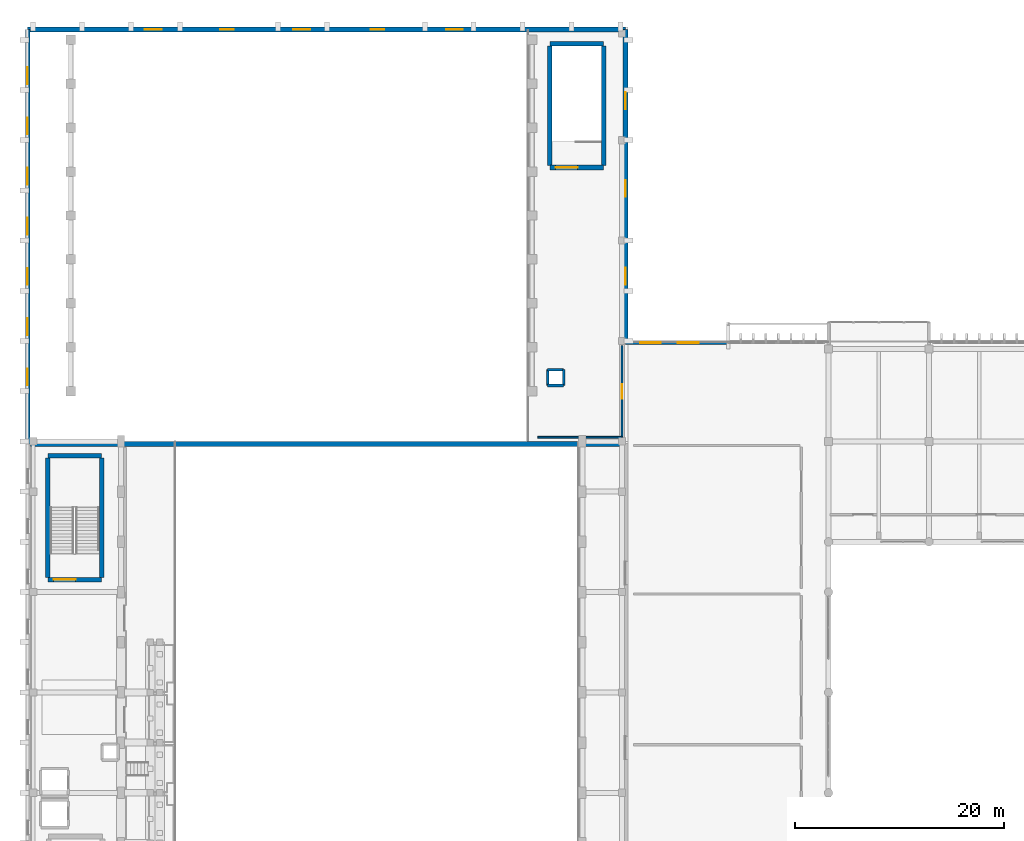
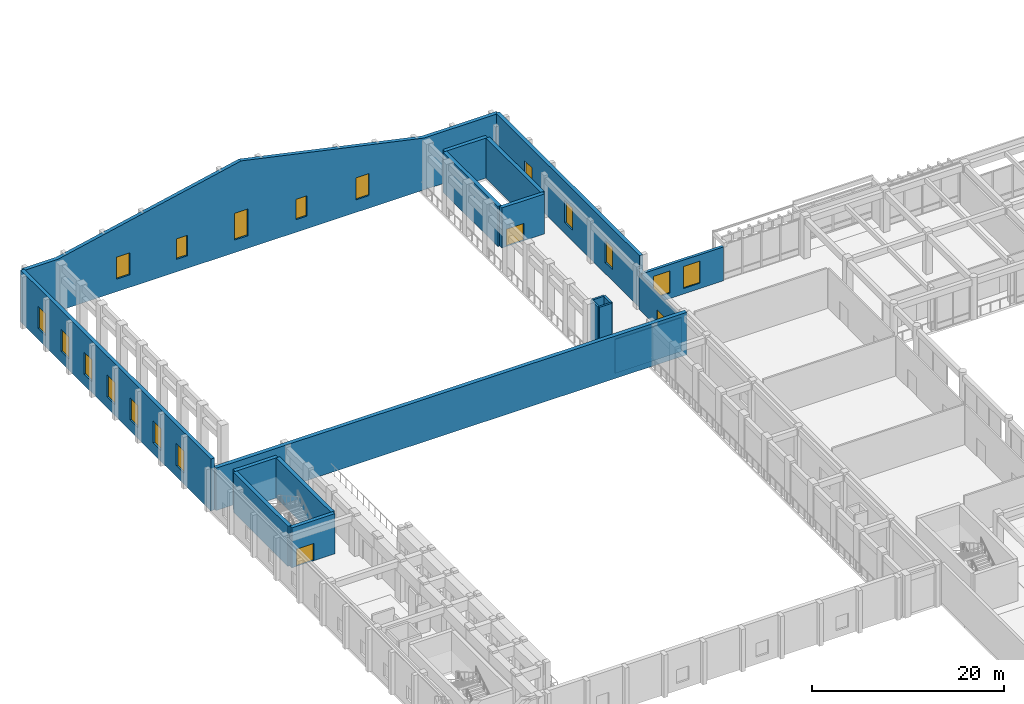
# One storey, part 104 of 134: 19 walls, 17 windows, 3 doors, 20 openings.
"""IFC4 building model written with IfcOpenShell, lengths in metres."""

from ifc_helpers import new_model, si_unit, direction, frame, frame_2d, origin, place, context, subcontext, project, spatial, polyline, rectangle, outline, extrude, material, layer, layer_set, type_object, element, fill, save


model = new_model("IFC4")

# Units and contexts
model_context = context("Model", 3, precision=1e-05, world=origin(), true_north=direction((0.0, 1.0)))
body_context = subcontext(model_context, "Body", "Model", "MODEL_VIEW")
ifc_project = project(units=[si_unit("LENGTHUNIT", "METRE"), si_unit("AREAUNIT", "SQUARE_METRE"), si_unit("VOLUMEUNIT", "CUBIC_METRE"), si_unit("PLANEANGLEUNIT", "RADIAN"), si_unit("MASSUNIT", "GRAM", prefix="KILO")], contexts=[model_context])

# Site, building, storey
site_placement = place(None, origin())
site = spatial("IfcSite", under=ifc_project, at=site_placement, CompositionType="ELEMENT")
building_placement = place(site_placement, origin())
building = spatial("IfcBuilding", under=site, at=building_placement, Name="Nakhvara Creek Congress Hotel", CompositionType="ELEMENT")
storey_placement = place(building_placement, frame((0.0, 0.0, 6.0)))
storey = spatial("IfcBuildingStorey", under=building, at=storey_placement, Name="L01", CompositionType="ELEMENT", Elevation=6.0)

# Wall, openings, windows
ifc_material_1 = material(Name="Honed pale Omani limestone cladding", Category="masonry")
ifc_layer_1 = layer(ifc_material_1, 0.050048828125)
ifc_material_2 = material(Name="Mineral wool thermal insulation")
ifc_layer_2 = layer(ifc_material_2, 0.110107421875)
ifc_material_3 = material(Name="Precast concrete C40/50", Category="concrete")
ifc_layer_3 = layer(ifc_material_3, 0.280029296875)
ifc_layer_set_1 = layer_set([ifc_layer_1, ifc_layer_2, ifc_layer_3], Name="Precast concrete C40/50")
wall_type_1 = type_object("IfcWallType", Name="W-BALL-440", PredefinedType="SOLIDWALL", material=ifc_layer_set_1)
wall_1_placement = place(storey_placement, frame((0.219970703125, 86.159912109375, 0.0), z_axis=(0.0, 0.0, 1.0), x_axis=(0.0, 1.0, 0.0)))
wall_1 = element("IfcWall", 1, at=wall_1_placement, inside=storey, type_object=wall_type_1, Name="Exterior Wall WE02-EW-L01-0041", PredefinedType="SOLIDWALL", context=body_context, shape_type="SweptSolid", body=[
    extrude(rectangle(XDim=39.6201171875, YDim=0.43994140625, at=frame_2d((19.81005859375, 0.0))), origin(), (0.0, 0.0, 1.0), 6.60009765625),
])
opening_1_placement = place(wall_1_placement, frame((5.60009765625, 0.0, 1.39990234375)))
opening_1 = element("IfcOpeningElement", 2, at=opening_1_placement, cuts=wall_1, Name="Opening WN0046", PredefinedType="OPENING", context=body_context, shape_type="SweptSolid", body=[
    extrude(rectangle(XDim=1.60009765625, YDim=2.800048828125, at=frame_2d((0.800048828125, 1.39990234375))), frame((0.0, 0.23193359375, 0.0), z_axis=(0.0, -1.0, 0.0), x_axis=(1.0, 0.0, 0.0)), (0.0, 0.0, 1.0), 0.4638671875),
])
opening_2_placement = place(wall_1_placement, frame((10.39990234375, 0.0, 1.39990234375)))
opening_2 = element("IfcOpeningElement", 3, at=opening_2_placement, cuts=wall_1, Name="Opening WN0047", PredefinedType="OPENING", context=body_context, shape_type="SweptSolid", body=[
    extrude(rectangle(XDim=1.60009765625, YDim=2.800048828125, at=frame_2d((0.800048828125, 1.39990234375))), frame((0.0, 0.23193359375, 0.0), z_axis=(0.0, -1.0, 0.0), x_axis=(1.0, 0.0, 0.0)), (0.0, 0.0, 1.0), 0.4638671875),
])
opening_3_placement = place(wall_1_placement, frame((15.199951171875, 0.0, 1.39990234375)))
opening_3 = element("IfcOpeningElement", 4, at=opening_3_placement, cuts=wall_1, Name="Opening WN0048", PredefinedType="OPENING", context=body_context, shape_type="SweptSolid", body=[
    extrude(rectangle(XDim=1.60009765625, YDim=2.800048828125, at=frame_2d((0.800048828125, 1.39990234375))), frame((0.0, 0.23193359375, 0.0), z_axis=(0.0, -1.0, 0.0), x_axis=(1.0, 0.0, 0.0)), (0.0, 0.0, 1.0), 0.4638671875),
])
opening_4_placement = place(wall_1_placement, frame((20.0, 0.0, 1.39990234375)))
opening_4 = element("IfcOpeningElement", 5, at=opening_4_placement, cuts=wall_1, Name="Opening WN0049", PredefinedType="OPENING", context=body_context, shape_type="SweptSolid", body=[
    extrude(rectangle(XDim=1.60009765625, YDim=2.800048828125, at=frame_2d((0.800048828125, 1.39990234375))), frame((0.0, 0.23193359375, 0.0), z_axis=(0.0, -1.0, 0.0), x_axis=(1.0, 0.0, 0.0)), (0.0, 0.0, 1.0), 0.4638671875),
])
opening_5_placement = place(wall_1_placement, frame((24.800048828125, 0.0, 1.39990234375)))
opening_5 = element("IfcOpeningElement", 6, at=opening_5_placement, cuts=wall_1, Name="Opening WN0050", PredefinedType="OPENING", context=body_context, shape_type="SweptSolid", body=[
    extrude(rectangle(XDim=1.60009765625, YDim=2.800048828125, at=frame_2d((0.800048828125, 1.39990234375))), frame((0.0, 0.23193359375, 0.0), z_axis=(0.0, -1.0, 0.0), x_axis=(1.0, 0.0, 0.0)), (0.0, 0.0, 1.0), 0.4638671875),
])
opening_6_placement = place(wall_1_placement, frame((29.60009765625, 0.0, 1.39990234375)))
opening_6 = element("IfcOpeningElement", 7, at=opening_6_placement, cuts=wall_1, Name="Opening WN0051", PredefinedType="OPENING", context=body_context, shape_type="SweptSolid", body=[
    extrude(rectangle(XDim=1.60009765625, YDim=2.800048828125, at=frame_2d((0.800048828125, 1.39990234375))), frame((0.0, 0.23193359375, 0.0), z_axis=(0.0, -1.0, 0.0), x_axis=(1.0, 0.0, 0.0)), (0.0, 0.0, 1.0), 0.4638671875),
])
opening_7_placement = place(wall_1_placement, frame((34.39990234375, 0.0, 1.39990234375)))
opening_7 = element("IfcOpeningElement", 8, at=opening_7_placement, cuts=wall_1, Name="Opening WN0052", PredefinedType="OPENING", context=body_context, shape_type="SweptSolid", body=[
    extrude(rectangle(XDim=1.60009765625, YDim=2.800048828125, at=frame_2d((0.800048828125, 1.39990234375))), frame((0.0, 0.23193359375, 0.0), z_axis=(0.0, -1.0, 0.0), x_axis=(1.0, 0.0, 0.0)), (0.0, 0.0, 1.0), 0.4638671875),
])
ifc_material_4 = material(Name="Thermally broken bronze-anodised aluminium and double-silver low-E insulated glass", Category="aluminium")
window_type_1 = type_object("IfcWindowType", Name="WN-POD-160X280", PartitioningType="SINGLE_PANEL", PredefinedType="WINDOW", material=ifc_material_4)
window_1_placement = place(opening_1_placement, origin())
window_1 = element("IfcWindow", 9, at=window_1_placement, inside=storey, type_object=window_type_1, Name="Facade Window WN0046", OverallHeight=2.800048828125, OverallWidth=1.60009765625, PartitioningType="SINGLE_PANEL", PredefinedType="WINDOW", context=body_context, shape_type="SweptSolid", body=[
    extrude(rectangle(XDim=1.60009765625, YDim=2.800048828125, at=frame_2d((0.800048828125, 1.39990234375))), frame((0.0, 0.030029296875, 0.0), z_axis=(0.0, -1.0, 0.0), x_axis=(1.0, 0.0, 0.0)), (0.0, 0.0, 1.0), 0.06005859375),
])
fill(opening_1, window_1)
window_2_placement = place(opening_2_placement, origin())
window_2 = element("IfcWindow", 10, at=window_2_placement, inside=storey, type_object=window_type_1, Name="Facade Window WN0047", OverallHeight=2.800048828125, OverallWidth=1.60009765625, PartitioningType="SINGLE_PANEL", PredefinedType="WINDOW", context=body_context, shape_type="SweptSolid", body=[
    extrude(rectangle(XDim=1.60009765625, YDim=2.800048828125, at=frame_2d((0.800048828125, 1.39990234375))), frame((0.0, 0.030029296875, 0.0), z_axis=(0.0, -1.0, 0.0), x_axis=(1.0, 0.0, 0.0)), (0.0, 0.0, 1.0), 0.06005859375),
])
fill(opening_2, window_2)
window_3_placement = place(opening_3_placement, origin())
window_3 = element("IfcWindow", 11, at=window_3_placement, inside=storey, type_object=window_type_1, Name="Facade Window WN0048", OverallHeight=2.800048828125, OverallWidth=1.60009765625, PartitioningType="SINGLE_PANEL", PredefinedType="WINDOW", context=body_context, shape_type="SweptSolid", body=[
    extrude(rectangle(XDim=1.60009765625, YDim=2.800048828125, at=frame_2d((0.800048828125, 1.39990234375))), frame((0.0, 0.030029296875, 0.0), z_axis=(0.0, -1.0, 0.0), x_axis=(1.0, 0.0, 0.0)), (0.0, 0.0, 1.0), 0.06005859375),
])
fill(opening_3, window_3)
window_4_placement = place(opening_4_placement, origin())
window_4 = element("IfcWindow", 12, at=window_4_placement, inside=storey, type_object=window_type_1, Name="Facade Window WN0049", OverallHeight=2.800048828125, OverallWidth=1.60009765625, PartitioningType="SINGLE_PANEL", PredefinedType="WINDOW", context=body_context, shape_type="SweptSolid", body=[
    extrude(rectangle(XDim=1.60009765625, YDim=2.800048828125, at=frame_2d((0.800048828125, 1.39990234375))), frame((0.0, 0.030029296875, 0.0), z_axis=(0.0, -1.0, 0.0), x_axis=(1.0, 0.0, 0.0)), (0.0, 0.0, 1.0), 0.06005859375),
])
fill(opening_4, window_4)
window_5_placement = place(opening_5_placement, origin())
window_5 = element("IfcWindow", 13, at=window_5_placement, inside=storey, type_object=window_type_1, Name="Facade Window WN0050", OverallHeight=2.800048828125, OverallWidth=1.60009765625, PartitioningType="SINGLE_PANEL", PredefinedType="WINDOW", context=body_context, shape_type="SweptSolid", body=[
    extrude(rectangle(XDim=1.60009765625, YDim=2.800048828125, at=frame_2d((0.800048828125, 1.39990234375))), frame((0.0, 0.030029296875, 0.0), z_axis=(0.0, -1.0, 0.0), x_axis=(1.0, 0.0, 0.0)), (0.0, 0.0, 1.0), 0.06005859375),
])
fill(opening_5, window_5)
window_6_placement = place(opening_6_placement, origin())
window_6 = element("IfcWindow", 14, at=window_6_placement, inside=storey, type_object=window_type_1, Name="Facade Window WN0051", OverallHeight=2.800048828125, OverallWidth=1.60009765625, PartitioningType="SINGLE_PANEL", PredefinedType="WINDOW", context=body_context, shape_type="SweptSolid", body=[
    extrude(rectangle(XDim=1.60009765625, YDim=2.800048828125, at=frame_2d((0.800048828125, 1.39990234375))), frame((0.0, 0.030029296875, 0.0), z_axis=(0.0, -1.0, 0.0), x_axis=(1.0, 0.0, 0.0)), (0.0, 0.0, 1.0), 0.06005859375),
])
fill(opening_6, window_6)
window_7_placement = place(opening_7_placement, origin())
window_7 = element("IfcWindow", 15, at=window_7_placement, inside=storey, type_object=window_type_1, Name="Facade Window WN0052", OverallHeight=2.800048828125, OverallWidth=1.60009765625, PartitioningType="SINGLE_PANEL", PredefinedType="WINDOW", context=body_context, shape_type="SweptSolid", body=[
    extrude(rectangle(XDim=1.60009765625, YDim=2.800048828125, at=frame_2d((0.800048828125, 1.39990234375))), frame((0.0, 0.030029296875, 0.0), z_axis=(0.0, -1.0, 0.0), x_axis=(1.0, 0.0, 0.0)), (0.0, 0.0, 1.0), 0.06005859375),
])
fill(opening_7, window_7)

wall_2_placement = place(storey_placement, frame((57.3798828125, 125.780029296875, 0.0), z_axis=(0.0, 0.0, 1.0), x_axis=(0.0, -1.0, 0.0)))
wall_2 = element("IfcWall", 16, at=wall_2_placement, inside=storey, type_object=wall_type_1, Name="Exterior Wall WE02-EW-L01-0042", PredefinedType="SOLIDWALL", context=body_context, shape_type="SweptSolid", body=[
    extrude(rectangle(XDim=29.969970703125, YDim=0.43994140625, at=frame_2d((14.98486328125, 0.0))), origin(), (0.0, 0.0, 1.0), 6.60009765625),
])
opening_8_placement = place(wall_2_placement, frame((6.0, 0.0, 1.39990234375)))
opening_8 = element("IfcOpeningElement", 17, at=opening_8_placement, cuts=wall_2, Name="Opening WN0053", PredefinedType="OPENING", context=body_context, shape_type="SweptSolid", body=[
    extrude(rectangle(XDim=1.60009765625, YDim=2.800048828125, at=frame_2d((0.800048828125, 1.39990234375))), frame((0.0, 0.23193359375, 0.0), z_axis=(0.0, -1.0, 0.0), x_axis=(1.0, 0.0, 0.0)), (0.0, 0.0, 1.0), 0.4638671875),
])
opening_9_placement = place(wall_2_placement, frame((14.39990234375, 0.0, 1.39990234375)))
opening_9 = element("IfcOpeningElement", 18, at=opening_9_placement, cuts=wall_2, Name="Opening WN0054", PredefinedType="OPENING", context=body_context, shape_type="SweptSolid", body=[
    extrude(rectangle(XDim=1.60009765625, YDim=2.800048828125, at=frame_2d((0.800048828125, 1.39990234375))), frame((0.0, 0.23193359375, 0.0), z_axis=(0.0, -1.0, 0.0), x_axis=(1.0, 0.0, 0.0)), (0.0, 0.0, 1.0), 0.4638671875),
])
opening_10_placement = place(wall_2_placement, frame((22.800048828125, 0.0, 1.39990234375)))
opening_10 = element("IfcOpeningElement", 19, at=opening_10_placement, cuts=wall_2, Name="Opening WN0055", PredefinedType="OPENING", context=body_context, shape_type="SweptSolid", body=[
    extrude(rectangle(XDim=1.60009765625, YDim=2.800048828125, at=frame_2d((0.800048828125, 1.39990234375))), frame((0.0, 0.23193359375, 0.0), z_axis=(0.0, -1.0, 0.0), x_axis=(1.0, 0.0, 0.0)), (0.0, 0.0, 1.0), 0.4638671875),
])
window_8_placement = place(opening_8_placement, origin())
window_8 = element("IfcWindow", 20, at=window_8_placement, inside=storey, type_object=window_type_1, Name="Facade Window WN0053", OverallHeight=2.800048828125, OverallWidth=1.60009765625, PartitioningType="SINGLE_PANEL", PredefinedType="WINDOW", context=body_context, shape_type="SweptSolid", body=[
    extrude(rectangle(XDim=1.60009765625, YDim=2.800048828125, at=frame_2d((0.800048828125, 1.39990234375))), frame((0.0, 0.030029296875, 0.0), z_axis=(0.0, -1.0, 0.0), x_axis=(1.0, 0.0, 0.0)), (0.0, 0.0, 1.0), 0.06005859375),
])
fill(opening_8, window_8)
window_9_placement = place(opening_9_placement, origin())
window_9 = element("IfcWindow", 21, at=window_9_placement, inside=storey, type_object=window_type_1, Name="Facade Window WN0054", OverallHeight=2.800048828125, OverallWidth=1.60009765625, PartitioningType="SINGLE_PANEL", PredefinedType="WINDOW", context=body_context, shape_type="SweptSolid", body=[
    extrude(rectangle(XDim=1.60009765625, YDim=2.800048828125, at=frame_2d((0.800048828125, 1.39990234375))), frame((0.0, 0.030029296875, 0.0), z_axis=(0.0, -1.0, 0.0), x_axis=(1.0, 0.0, 0.0)), (0.0, 0.0, 1.0), 0.06005859375),
])
fill(opening_9, window_9)
window_10_placement = place(opening_10_placement, origin())
window_10 = element("IfcWindow", 22, at=window_10_placement, inside=storey, type_object=window_type_1, Name="Facade Window WN0055", OverallHeight=2.800048828125, OverallWidth=1.60009765625, PartitioningType="SINGLE_PANEL", PredefinedType="WINDOW", context=body_context, shape_type="SweptSolid", body=[
    extrude(rectangle(XDim=1.60009765625, YDim=2.800048828125, at=frame_2d((0.800048828125, 1.39990234375))), frame((0.0, 0.030029296875, 0.0), z_axis=(0.0, -1.0, 0.0), x_axis=(1.0, 0.0, 0.0)), (0.0, 0.0, 1.0), 0.06005859375),
])
fill(opening_10, window_10)

wall_3_placement = place(storey_placement, frame((0.219970703125, 125.780029296875, 0.0), z_axis=(0.0, 0.0, 1.0), x_axis=(1.0, 0.0, 0.0)))
wall_3 = element("IfcWall", 23, at=wall_3_placement, inside=storey, type_object=wall_type_1, Name="Exterior Wall WE02-EW-L01-0043", PredefinedType="SOLIDWALL", context=body_context, shape_type="SweptSolid", body=[
    extrude(outline(polyline([(0.0, 0.0), (57.159912109375, 0.0), (57.159912109375, 6.60009765625), (48.22998046875, 6.60009765625), (26.179931640625, 11.39990234375), (4.1298828125, 6.60009765625), (0.0, 6.60009765625), (0.0, 0.0)])), frame((0.0, 0.219970703125, 0.0), z_axis=(0.0, -1.0, 0.0), x_axis=(1.0, 0.0, 0.0)), (0.0, 0.0, 1.0), 0.43994140625),
])
opening_11_placement = place(wall_3_placement, frame((11.199951171875, 0.0, 1.60009765625)))
opening_11 = element("IfcOpeningElement", 24, at=opening_11_placement, cuts=wall_3, Name="Opening WN0056", PredefinedType="OPENING", context=body_context, shape_type="SweptSolid", body=[
    extrude(rectangle(XDim=1.60009765625, YDim=2.800048828125, at=frame_2d((0.800048828125, 1.39990234375))), frame((0.0, 0.23193359375, 0.0), z_axis=(0.0, -1.0, 0.0), x_axis=(1.0, 0.0, 0.0)), (0.0, 0.0, 1.0), 0.4638671875),
])
opening_12_placement = place(wall_3_placement, frame((18.39990234375, 0.0, 1.60009765625)))
opening_12 = element("IfcOpeningElement", 25, at=opening_12_placement, cuts=wall_3, Name="Opening WN0057", PredefinedType="OPENING", context=body_context, shape_type="SweptSolid", body=[
    extrude(rectangle(XDim=1.300048828125, YDim=2.60009765625, at=frame_2d((0.64990234375, 1.300048828125))), frame((0.0, 0.23193359375, 0.0), z_axis=(0.0, -1.0, 0.0), x_axis=(1.0, 0.0, 0.0)), (0.0, 0.0, 1.0), 0.4638671875),
])
opening_13_placement = place(wall_3_placement, frame((25.39990234375, 0.0, 1.60009765625)))
opening_13 = element("IfcOpeningElement", 26, at=opening_13_placement, cuts=wall_3, Name="Opening WN0058", PredefinedType="OPENING", context=body_context, shape_type="SweptSolid", body=[
    extrude(rectangle(XDim=1.60009765625, YDim=3.39990234375, at=frame_2d((0.800048828125, 1.699951171875))), frame((0.0, 0.23193359375, 0.0), z_axis=(0.0, -1.0, 0.0), x_axis=(1.0, 0.0, 0.0)), (0.0, 0.0, 1.0), 0.4638671875),
])
opening_14_placement = place(wall_3_placement, frame((32.800048828125, 0.0, 1.60009765625)))
opening_14 = element("IfcOpeningElement", 27, at=opening_14_placement, cuts=wall_3, Name="Opening WN0059", PredefinedType="OPENING", context=body_context, shape_type="SweptSolid", body=[
    extrude(rectangle(XDim=1.300048828125, YDim=2.60009765625, at=frame_2d((0.64990234375, 1.300048828125))), frame((0.0, 0.23193359375, 0.0), z_axis=(0.0, -1.0, 0.0), x_axis=(1.0, 0.0, 0.0)), (0.0, 0.0, 1.0), 0.4638671875),
])
opening_15_placement = place(wall_3_placement, frame((40.0, 0.0, 1.60009765625)))
opening_15 = element("IfcOpeningElement", 28, at=opening_15_placement, cuts=wall_3, Name="Opening WN0060", PredefinedType="OPENING", context=body_context, shape_type="SweptSolid", body=[
    extrude(rectangle(XDim=1.60009765625, YDim=2.800048828125, at=frame_2d((0.800048828125, 1.39990234375))), frame((0.0, 0.23193359375, 0.0), z_axis=(0.0, -1.0, 0.0), x_axis=(1.0, 0.0, 0.0)), (0.0, 0.0, 1.0), 0.4638671875),
])
window_type_2 = type_object("IfcWindowType", Name="WN-GAB-130X260", PartitioningType="SINGLE_PANEL", PredefinedType="WINDOW", material=ifc_material_4)
window_11_placement = place(opening_12_placement, origin())
window_11 = element("IfcWindow", 29, at=window_11_placement, inside=storey, type_object=window_type_2, Name="Facade Window WN0057", OverallHeight=2.60009765625, OverallWidth=1.300048828125, PartitioningType="SINGLE_PANEL", PredefinedType="WINDOW", context=body_context, shape_type="SweptSolid", body=[
    extrude(rectangle(XDim=1.300048828125, YDim=2.60009765625, at=frame_2d((0.64990234375, 1.300048828125))), frame((0.0, 0.030029296875, 0.0), z_axis=(0.0, -1.0, 0.0), x_axis=(1.0, 0.0, 0.0)), (0.0, 0.0, 1.0), 0.06005859375),
])
fill(opening_12, window_11)
window_12_placement = place(opening_14_placement, origin())
window_12 = element("IfcWindow", 30, at=window_12_placement, inside=storey, type_object=window_type_2, Name="Facade Window WN0059", OverallHeight=2.60009765625, OverallWidth=1.300048828125, PartitioningType="SINGLE_PANEL", PredefinedType="WINDOW", context=body_context, shape_type="SweptSolid", body=[
    extrude(rectangle(XDim=1.300048828125, YDim=2.60009765625, at=frame_2d((0.64990234375, 1.300048828125))), frame((0.0, 0.030029296875, 0.0), z_axis=(0.0, -1.0, 0.0), x_axis=(1.0, 0.0, 0.0)), (0.0, 0.0, 1.0), 0.06005859375),
])
fill(opening_14, window_12)
window_type_3 = type_object("IfcWindowType", Name="WN-GAB-160X340", PartitioningType="SINGLE_PANEL", PredefinedType="WINDOW", material=ifc_material_4)
window_13_placement = place(opening_13_placement, origin())
window_13 = element("IfcWindow", 31, at=window_13_placement, inside=storey, type_object=window_type_3, Name="Facade Window WN0058", OverallHeight=3.39990234375, OverallWidth=1.60009765625, PartitioningType="SINGLE_PANEL", PredefinedType="WINDOW", context=body_context, shape_type="SweptSolid", body=[
    extrude(rectangle(XDim=1.60009765625, YDim=3.39990234375, at=frame_2d((0.800048828125, 1.699951171875))), frame((0.0, 0.030029296875, 0.0), z_axis=(0.0, -1.0, 0.0), x_axis=(1.0, 0.0, 0.0)), (0.0, 0.0, 1.0), 0.06005859375),
])
fill(opening_13, window_13)
window_14_placement = place(opening_11_placement, origin())
window_14 = element("IfcWindow", 32, at=window_14_placement, inside=storey, type_object=window_type_1, Name="Facade Window WN0056", OverallHeight=2.800048828125, OverallWidth=1.60009765625, PartitioningType="SINGLE_PANEL", PredefinedType="WINDOW", context=body_context, shape_type="SweptSolid", body=[
    extrude(rectangle(XDim=1.60009765625, YDim=2.800048828125, at=frame_2d((0.800048828125, 1.39990234375))), frame((0.0, 0.030029296875, 0.0), z_axis=(0.0, -1.0, 0.0), x_axis=(1.0, 0.0, 0.0)), (0.0, 0.0, 1.0), 0.06005859375),
])
fill(opening_11, window_14)
window_15_placement = place(opening_15_placement, origin())
window_15 = element("IfcWindow", 33, at=window_15_placement, inside=storey, type_object=window_type_1, Name="Facade Window WN0060", OverallHeight=2.800048828125, OverallWidth=1.60009765625, PartitioningType="SINGLE_PANEL", PredefinedType="WINDOW", context=body_context, shape_type="SweptSolid", body=[
    extrude(rectangle(XDim=1.60009765625, YDim=2.800048828125, at=frame_2d((0.800048828125, 1.39990234375))), frame((0.0, 0.030029296875, 0.0), z_axis=(0.0, -1.0, 0.0), x_axis=(1.0, 0.0, 0.0)), (0.0, 0.0, 1.0), 0.06005859375),
])
fill(opening_15, window_15)

# Wall
ifc_material_5 = material(Name="Moisture-resistant blockwork and plaster", Category="masonry")
ifc_layer_4 = layer(ifc_material_5, 0.159912109375)
ifc_layer_set_2 = layer_set([ifc_layer_4], Name="Moisture-resistant blockwork and plaster")
wall_type_2 = type_object("IfcWallType", Name="W-BOH-160", PredefinedType="PARTITIONING", material=ifc_layer_set_2)
wall_4_placement = place(storey_placement, frame((49.0, 86.800048828125, 0.0), z_axis=(0.0, 0.0, 1.0), x_axis=(1.0, 0.0, 0.0)))
element("IfcWall", 34, at=wall_4_placement, inside=storey, type_object=wall_type_2, Name="Interior Wall WP14-IW-L01-0085", PredefinedType="PARTITIONING", context=body_context, shape_type="SweptSolid", body=[
    extrude(rectangle(XDim=8.0, YDim=0.159912109375, at=frame_2d((4.0, 0.0))), origin(), (0.0, 0.0, 1.0), 4.31201171875),
])

# Wall, opening, door
wall_5_placement = place(storey_placement, frame((57.050048828125, 86.800048828125, 0.0), z_axis=(0.0, 0.0, 1.0), x_axis=(0.0, 1.0, 0.0)))
wall_5 = element("IfcWall", 35, at=wall_5_placement, inside=storey, type_object=wall_type_2, Name="Interior Wall WP14-IW-L01-0086", PredefinedType="PARTITIONING", context=body_context, shape_type="SweptSolid", body=[
    extrude(rectangle(XDim=8.75, YDim=0.159912109375, at=frame_2d((4.375, 0.0))), origin(), (0.0, 0.0, 1.0), 4.31201171875),
])
opening_16_placement = place(wall_5_placement, frame((3.699951171875, 0.0, 0.0)))
opening_16 = element("IfcOpeningElement", 36, at=opening_16_placement, cuts=wall_5, Name="Opening ID05", PredefinedType="OPENING", context=body_context, shape_type="SweptSolid", body=[
    extrude(rectangle(XDim=1.35009765625, YDim=2.199951171875, at=frame_2d((0.675048828125, 1.10009765625))), frame((0.0, 0.091796875, 0.0), z_axis=(0.0, -1.0, 0.0), x_axis=(1.0, 0.0, 0.0)), (0.0, 0.0, 1.0), 0.183837890625),
])
ifc_material_6 = material(Name="Brushed stainless-clad BOH door")
door_type_1 = type_object("IfcDoorType", Name="DT-BOH-135", OperationType="NOTDEFINED", PredefinedType="DOOR", material=ifc_material_6)
door_1_placement = place(opening_16_placement, origin())
door_1 = element("IfcDoor", 37, at=door_1_placement, inside=storey, type_object=door_type_1, Name="Interior Door ID05-0087", OperationType="SINGLE_SWING_RIGHT", OverallHeight=2.199951171875, OverallWidth=1.35009765625, PredefinedType="DOOR", context=body_context, shape_type="SweptSolid", body=[
    extrude(rectangle(XDim=1.35009765625, YDim=2.199951171875, at=frame_2d((0.675048828125, 1.10009765625))), frame((0.0, 0.02490234375, 0.0), z_axis=(0.0, -1.0, 0.0), x_axis=(1.0, 0.0, 0.0)), (0.0, 0.0, 1.0), 0.050048828125),
])
fill(opening_16, door_1)

ifc_material_7 = material(Name="Concrete C50/60", Category="concrete")
ifc_layer_5 = layer(ifc_material_7, 0.449951171875)
ifc_layer_set_3 = layer_set([ifc_layer_5], Name="Concrete C50/60")
wall_type_3 = type_object("IfcWallType", Name="W-CORE-450", PredefinedType="SHEAR", material=ifc_layer_set_3)
wall_6_placement = place(storey_placement, frame((2.14990234375, 73.179931640625, 0.0), z_axis=(0.0, 0.0, 1.0), x_axis=(1.0, 0.0, 0.0)))
wall_6 = element("IfcWall", 38, at=wall_6_placement, inside=storey, type_object=wall_type_3, Name="Core Shear Wall WS02-CWALL-L01-0859", PredefinedType="SHEAR", context=body_context, shape_type="SweptSolid", body=[
    extrude(rectangle(XDim=5.150146484375, YDim=0.449951171875, at=frame_2d((2.5751953125, 0.0))), origin(), (0.0, 0.0, 1.0), 5.10009765625),
])
opening_17_placement = place(wall_6_placement, frame((0.550048828125, 0.0, 0.0)))
opening_17 = element("IfcOpeningElement", 39, at=opening_17_placement, cuts=wall_6, Name="Opening FD19", PredefinedType="OPENING", context=body_context, shape_type="SweptSolid", body=[
    extrude(rectangle(XDim=2.10009765625, YDim=2.199951171875, at=frame_2d((1.050048828125, 1.10009765625))), frame((0.0, 0.23681640625, 0.0), z_axis=(0.0, -1.0, 0.0), x_axis=(1.0, 0.0, 0.0)), (0.0, 0.0, 1.0), 0.473876953125),
])
ifc_material_8 = material(Name="Galvanised steel acoustic fire door", Category="steel")
door_type_2 = type_object("IfcDoorType", Name="DT-STAIR-220", OperationType="DOUBLE_DOOR_SINGLE_SWING", PredefinedType="DOOR", material=ifc_material_8)
door_2_placement = place(opening_17_placement, frame((2.10009765625, 0.0, 0.0), z_axis=(0.0, 0.0, 1.0), x_axis=(-1.0, 0.0, 0.0)))
door_2 = element("IfcDoor", 40, at=door_2_placement, inside=storey, type_object=door_type_2, Name="Stair Exit Door ST07-L01", OperationType="DOUBLE_DOOR_SINGLE_SWING", OverallHeight=2.199951171875, OverallWidth=2.10009765625, PredefinedType="DOOR", context=body_context, shape_type="SweptSolid", body=[
    extrude(rectangle(XDim=2.10009765625, YDim=2.199951171875, at=frame_2d((1.050048828125, 1.10009765625))), frame((0.0, 0.02490234375, 0.0), z_axis=(0.0, -1.0, 0.0), x_axis=(1.0, 0.0, 0.0)), (0.0, 0.0, 1.0), 0.050048828125),
])
fill(opening_17, door_2)

# Walls
wall_7_placement = place(storey_placement, frame((2.14990234375, 85.02001953125, 0.0), z_axis=(0.0, 0.0, 1.0), x_axis=(1.0, 0.0, 0.0)))
element("IfcWall", 41, at=wall_7_placement, inside=storey, type_object=wall_type_3, Name="Core Shear Wall WS02-CWALL-L01-0860", PredefinedType="SHEAR", context=body_context, shape_type="SweptSolid", body=[
    extrude(rectangle(XDim=5.150146484375, YDim=0.449951171875, at=frame_2d((2.5751953125, 0.0))), origin(), (0.0, 0.0, 1.0), 5.10009765625),
])
for number, where, z_axis, x_axis, name in (
    (42, (2.14990234375, 73.39990234375, 0.0), (0.0, 0.0, 1.0), (0.0, 1.0, 0.0), "Core Shear Wall WS02-CWALL-L01-0861"),
    (43, (7.300048828125, 73.39990234375, 0.0), (0.0, 0.0, 1.0), (0.0, 1.0, 0.0), "Core Shear Wall WS02-CWALL-L01-0862"),
):
    element("IfcWall", number, at=place(storey_placement, frame(where, z_axis=z_axis, x_axis=x_axis)), inside=storey, type_object=wall_type_3, Name=name, PredefinedType="SHEAR", context=body_context, shape_type="SweptSolid", body=[
        extrude(rectangle(XDim=11.400146484375, YDim=0.449951171875, at=frame_2d((5.7001953125, 0.0))), origin(), (0.0, 0.0, 1.0), 5.10009765625),
    ])

# Wall, opening, door
wall_8_placement = place(storey_placement, frame((50.14990234375, 112.580078125, 0.0), z_axis=(0.0, 0.0, 1.0), x_axis=(1.0, 0.0, 0.0)))
wall_8 = element("IfcWall", 44, at=wall_8_placement, inside=storey, type_object=wall_type_3, Name="Core Shear Wall WS02-CWALL-L01-0883", PredefinedType="SHEAR", context=body_context, shape_type="SweptSolid", body=[
    extrude(rectangle(XDim=5.150146484375, YDim=0.449951171875, at=frame_2d((2.5751953125, 0.0))), origin(), (0.0, 0.0, 1.0), 5.10009765625),
])
opening_18_placement = place(wall_8_placement, frame((0.550048828125, 0.0, 0.0)))
opening_18 = element("IfcOpeningElement", 45, at=opening_18_placement, cuts=wall_8, Name="Opening FD19", PredefinedType="OPENING", context=body_context, shape_type="SweptSolid", body=[
    extrude(rectangle(XDim=2.10009765625, YDim=2.199951171875, at=frame_2d((1.050048828125, 1.10009765625))), frame((0.0, 0.23681640625, 0.0), z_axis=(0.0, -1.0, 0.0), x_axis=(1.0, 0.0, 0.0)), (0.0, 0.0, 1.0), 0.473876953125),
])
door_3_placement = place(opening_18_placement, frame((2.10009765625, 0.0, 0.0), z_axis=(0.0, 0.0, 1.0), x_axis=(-1.0, 0.0, 0.0)))
door_3 = element("IfcDoor", 46, at=door_3_placement, inside=storey, type_object=door_type_2, Name="Stair Exit Door ST08-L01", OperationType="DOUBLE_DOOR_SINGLE_SWING", OverallHeight=2.199951171875, OverallWidth=2.10009765625, PredefinedType="DOOR", context=body_context, shape_type="SweptSolid", body=[
    extrude(rectangle(XDim=2.10009765625, YDim=2.199951171875, at=frame_2d((1.050048828125, 1.10009765625))), frame((0.0, 0.02490234375, 0.0), z_axis=(0.0, -1.0, 0.0), x_axis=(1.0, 0.0, 0.0)), (0.0, 0.0, 1.0), 0.050048828125),
])
fill(opening_18, door_3)

# Walls
wall_9_placement = place(storey_placement, frame((50.14990234375, 124.419921875, 0.0), z_axis=(0.0, 0.0, 1.0), x_axis=(1.0, 0.0, 0.0)))
element("IfcWall", 47, at=wall_9_placement, inside=storey, type_object=wall_type_3, Name="Core Shear Wall WS02-CWALL-L01-0884", PredefinedType="SHEAR", context=body_context, shape_type="SweptSolid", body=[
    extrude(rectangle(XDim=5.150146484375, YDim=0.449951171875, at=frame_2d((2.5751953125, 0.0))), origin(), (0.0, 0.0, 1.0), 5.10009765625),
])
for number, where, z_axis, x_axis, name in (
    (48, (50.14990234375, 112.800048828125, 0.0), (0.0, 0.0, 1.0), (0.0, 1.0, 0.0), "Core Shear Wall WS02-CWALL-L01-0885"),
    (49, (55.300048828125, 112.800048828125, 0.0), (0.0, 0.0, 1.0), (0.0, 1.0, 0.0), "Core Shear Wall WS02-CWALL-L01-0886"),
):
    element("IfcWall", number, at=place(storey_placement, frame(where, z_axis=z_axis, x_axis=x_axis)), inside=storey, type_object=wall_type_3, Name=name, PredefinedType="SHEAR", context=body_context, shape_type="SweptSolid", body=[
        extrude(rectangle(XDim=11.39990234375, YDim=0.449951171875, at=frame_2d((5.699951171875, 0.0))), origin(), (0.0, 0.0, 1.0), 5.10009765625),
    ])

# Wall, openings, windows
ifc_material_9 = material(Name="Architectural GRC panel")
ifc_layer_6 = layer(ifc_material_9, 0.0400390625)
ifc_layer_7 = layer(ifc_material_2, 0.10009765625)
ifc_layer_8 = layer(ifc_material_3, 0.199951171875)
ifc_layer_set_4 = layer_set([ifc_layer_6, ifc_layer_7, ifc_layer_8], Name="Precast concrete C40/50")
wall_type_4 = type_object("IfcWallType", Name="W-EXT-340", PredefinedType="SOLIDWALL", material=ifc_layer_set_4)
wall_10_placement = place(storey_placement, frame((57.375, 95.830078125, 0.0), z_axis=(0.0, 0.0, 1.0), x_axis=(1.0, 0.0, 0.0)))
wall_10 = element("IfcWall", 50, at=wall_10_placement, inside=storey, type_object=wall_type_4, Name="Exterior Wall WE04-EW-L01-0052", PredefinedType="SOLIDWALL", context=body_context, shape_type="SweptSolid", body=[
    extrude(rectangle(XDim=9.824951171875, YDim=0.340087890625, at=frame_2d((4.91259765625, 0.0))), origin(), (0.0, 0.0, 1.0), 4.31201171875),
])
opening_19_placement = place(wall_10_placement, frame((1.39990234375, 0.0, 0.699951171875)))
opening_19 = element("IfcOpeningElement", 51, at=opening_19_placement, cuts=wall_10, Name="Opening WN0061", PredefinedType="OPENING", context=body_context, shape_type="SweptSolid", body=[
    extrude(rectangle(XDim=2.0, YDim=2.800048828125, at=frame_2d((1.0, 1.39990234375))), frame((0.0, 0.18212890625, 0.0), z_axis=(0.0, -1.0, 0.0), x_axis=(1.0, 0.0, 0.0)), (0.0, 0.0, 1.0), 0.364013671875),
])
opening_20_placement = place(wall_10_placement, frame((5.0, 0.0, 0.699951171875)))
opening_20 = element("IfcOpeningElement", 52, at=opening_20_placement, cuts=wall_10, Name="Opening WN0062", PredefinedType="OPENING", context=body_context, shape_type="SweptSolid", body=[
    extrude(rectangle(XDim=2.0, YDim=2.800048828125, at=frame_2d((1.0, 1.39990234375))), frame((0.0, 0.18212890625, 0.0), z_axis=(0.0, -1.0, 0.0), x_axis=(1.0, 0.0, 0.0)), (0.0, 0.0, 1.0), 0.364013671875),
])
window_type_4 = type_object("IfcWindowType", Name="WN-POD-200X280", PartitioningType="SINGLE_PANEL", PredefinedType="WINDOW", material=ifc_material_4)
window_16_placement = place(opening_19_placement, origin())
window_16 = element("IfcWindow", 53, at=window_16_placement, inside=storey, type_object=window_type_4, Name="Facade Window WN0061", OverallHeight=2.800048828125, OverallWidth=2.0, PartitioningType="SINGLE_PANEL", PredefinedType="WINDOW", context=body_context, shape_type="SweptSolid", body=[
    extrude(rectangle(XDim=2.0, YDim=2.800048828125, at=frame_2d((1.0, 1.39990234375))), frame((0.0, 0.030029296875, 0.0), z_axis=(0.0, -1.0, 0.0), x_axis=(1.0, 0.0, 0.0)), (0.0, 0.0, 1.0), 0.06005859375),
])
fill(opening_19, window_16)
window_17_placement = place(opening_20_placement, origin())
window_17 = element("IfcWindow", 54, at=window_17_placement, inside=storey, type_object=window_type_4, Name="Facade Window WN0062", OverallHeight=2.800048828125, OverallWidth=2.0, PartitioningType="SINGLE_PANEL", PredefinedType="WINDOW", context=body_context, shape_type="SweptSolid", body=[
    extrude(rectangle(XDim=2.0, YDim=2.800048828125, at=frame_2d((1.0, 1.39990234375))), frame((0.0, 0.030029296875, 0.0), z_axis=(0.0, -1.0, 0.0), x_axis=(1.0, 0.0, 0.0)), (0.0, 0.0, 1.0), 0.06005859375),
])
fill(opening_20, window_17)

# Walls
ifc_layer_9 = layer(ifc_material_1, 0.06005859375)
ifc_layer_10 = layer(ifc_material_2, 0.1201171875)
ifc_layer_11 = layer(ifc_material_3, 0.300048828125)
ifc_layer_set_5 = layer_set([ifc_layer_9, ifc_layer_10, ifc_layer_11], Name="Precast concrete C40/50")
wall_type_5 = type_object("IfcWallType", Name="W-HALL-480", PredefinedType="SOLIDWALL", material=ifc_layer_set_5)
wall_11_placement = place(storey_placement, frame((0.5, 86.159912109375, 0.0), z_axis=(0.0, 0.0, 1.0), x_axis=(1.0, 0.0, 0.0)))
element("IfcWall", 55, at=wall_11_placement, inside=storey, type_object=wall_type_5, Name="Exterior Wall WE01-EW-L01-0040", PredefinedType="SOLIDWALL", context=body_context, shape_type="SweptSolid", body=[
    extrude(rectangle(XDim=56.699951171875, YDim=0.47998046875, at=frame_2d((28.35009765625, 0.0))), origin(), (0.0, 0.0, 1.0), 5.39990234375),
])
ifc_material_10 = material(Name="Concrete C40/50", Category="concrete")
ifc_layer_12 = layer(ifc_material_10, 0.25)
ifc_layer_set_6 = layer_set([ifc_layer_12], Name="Concrete C40/50")
wall_type_6 = type_object("IfcWallType", Name="W-SHAFT-250", PredefinedType="SOLIDWALL", material=ifc_layer_set_6)
for number, where, z_axis, x_axis, name in (
    (56, (49.93994140625, 91.739990234375, 0.0), (0.0, 0.0, 1.0), (1.0, 0.0, 0.0), "MEP Riser Enclosure Wall L01-009"),
    (57, (51.4599609375, 91.739990234375, 0.0), (0.0, 0.0, 1.0), (0.0, 1.0, 0.0), "MEP Riser Enclosure Wall L01-010"),
    (58, (51.4599609375, 93.260009765625, 0.0), (0.0, 0.0, 1.0), (-1.0, 0.0, 0.0), "MEP Riser Enclosure Wall L01-011"),
    (59, (49.93994140625, 93.260009765625, 0.0), (0.0, 0.0, 1.0), (0.0, -1.0, 0.0), "MEP Riser Enclosure Wall L01-012"),
):
    element("IfcWall", number, at=place(storey_placement, frame(where, z_axis=z_axis, x_axis=x_axis)), inside=storey, type_object=wall_type_6, Name=name, PredefinedType="SOLIDWALL", context=body_context, shape_type="SweptSolid", body=[
        extrude(rectangle(XDim=1.52001953125, YDim=0.25, at=frame_2d((0.760009765625, 0.0))), origin(), (0.0, 0.0, 1.0), 5.10009765625),
    ])

save(model, "model.ifc")
